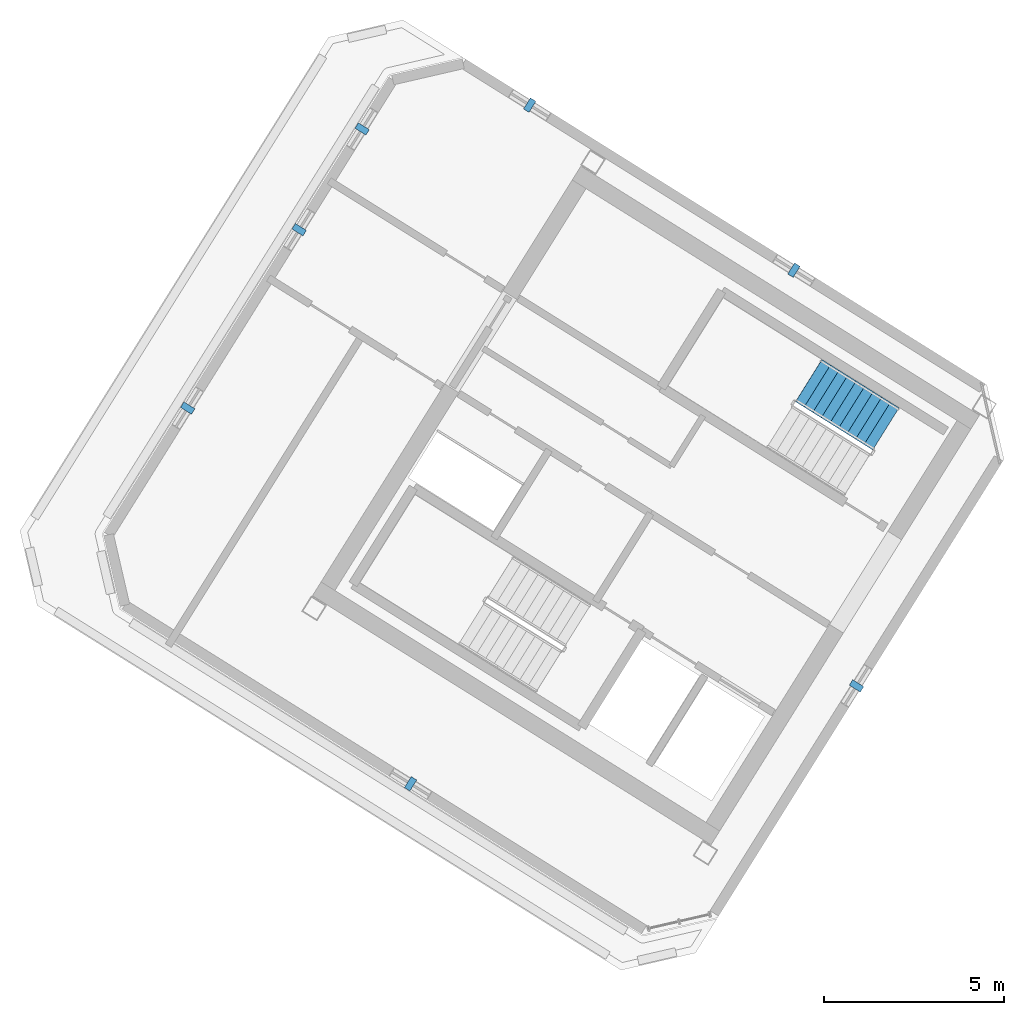
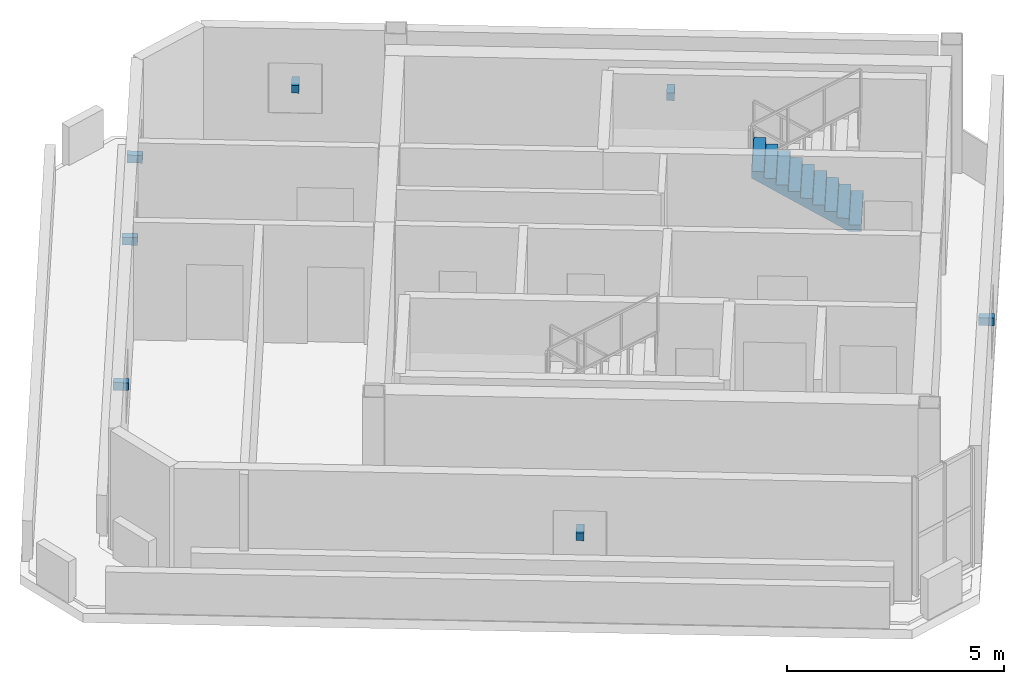
# One storey, part 5 of 7: 7 discrete accessories, 1 stair flight, 1 element without a shape of its own.
"""IFC4 building model written with IfcOpenShell, lengths in metres."""

from ifc_helpers import new_model, si_unit, direction, frame, origin, origin_2d, place, context, subcontext, project, spatial, polyline, rectangle, outline, extrude, source, transform, mapped, material, type_object, element, aggregate, save


model = new_model("IFC4")

# Units and contexts
model_context = context("Model", 3, precision=1e-05, world=origin(), true_north=direction((0.0, 1.0)))
body_context = subcontext(model_context, "Body", "Model", "MODEL_VIEW")
ifc_project = project(units=[si_unit("LENGTHUNIT", "METRE"), si_unit("AREAUNIT", "SQUARE_METRE"), si_unit("VOLUMEUNIT", "CUBIC_METRE"), si_unit("PLANEANGLEUNIT", "RADIAN"), si_unit("MASSUNIT", "GRAM", prefix="KILO")], contexts=[model_context])

# Site, building, storey
site_placement = place(None, origin())
site = spatial("IfcSite", under=ifc_project, at=site_placement, CompositionType="ELEMENT")
building_placement = place(site_placement, origin())
building = spatial("IfcBuilding", under=site, at=building_placement, Name="Tlacorven Tower", CompositionType="ELEMENT")
storey_placement = place(building_placement, frame((0.0, 0.0, 309.60009765625)))
storey = spatial("IfcBuildingStorey", under=building, at=storey_placement, Name="L79", CompositionType="ELEMENT", Elevation=309.60009765625)

# Stair, stair flight
ifc_material_1 = material(Name="Concrete C40/50", Category="concrete")
stair_type = type_object("IfcStairType", Name="ST-CORE-DLG", PredefinedType="HALF_TURN_STAIR", material=ifc_material_1)
stair_placement = place(storey_placement, origin())
stair = element("IfcStair", 1, at=stair_placement, inside=storey, type_object=stair_type, Name="L79 Protected Exit Stair West 2", PredefinedType="HALF_TURN_STAIR")
stair_flight_type = type_object("IfcStairFlightType", Name="SFL-RC-1380", PredefinedType="STRAIGHT", material=ifc_material_1)
shared_shape_1 = source(origin(), body_context, "Body", "SweptSolid", [
    extrude(outline(polyline([(-0.0029296875, -0.0029296875), (-0.0029296875, 0.179931640625), (0.280029296875, 0.179931640625), (0.280029296875, 0.360107421875), (0.56005859375, 0.360107421875), (0.56005859375, 0.5400390625), (0.840087890625, 0.5400390625), (0.840087890625, 0.719970703125), (1.1201171875, 0.719970703125), (1.1201171875, 0.89990234375), (1.39990234375, 0.89990234375), (1.39990234375, 1.080078125), (1.679931640625, 1.080078125), (1.679931640625, 1.260009765625), (1.9599609375, 1.260009765625), (1.9599609375, 1.43994140625), (2.239990234375, 1.43994140625), (2.239990234375, 1.6201171875), (2.52001953125, 1.6201171875), (2.52001953125, 1.800048828125), (2.52294921875, 1.800048828125), (2.52294921875, 1.429931640625), (2.52001953125, 1.429931640625), (0.295654296875, 0.0), (0.295654296875, -0.0029296875), (-0.0029296875, -0.0029296875)])), frame((0.0, 0.68994140625, 0.0), z_axis=(0.0, -1.0, 0.0), x_axis=(1.0, 0.0, 0.0)), (0.0, 0.0, 1.0), 1.3798828125),
])
stair_flight_placement = place(storey_placement, frame((38.051513671875, 23.852294921875, 0.0), z_axis=(0.0, 0.0, 1.0), x_axis=(-0.848048096156, 0.529919264233, 0.0)))
stair_flight = element("IfcStairFlight", 2, at=stair_flight_placement, type_object=stair_flight_type, Name="ST-W2 flight 1", NumberOfRisers=10, NumberOfTreads=9, PredefinedType="STRAIGHT", RiserHeight=0.18, TreadLength=0.28, context=body_context, shape_type="MappedRepresentation", body=[
    mapped(shared_shape_1, transform((0.0, 0.0, 0.0), scale=1.0)),
])
aggregate(stair, [stair_flight])

# Discrete accessories
ifc_material_2 = material(Name="Steel S355J2", Category="steel")
discrete_accessory_type = type_object("IfcDiscreteAccessoryType", Name="ACC-BRK-01", PredefinedType="BRACKET", material=ifc_material_2)
shared_shape_2 = source(origin(), body_context, "Body", "SweptSolid", [
    extrude(rectangle(XDim=0.179931640625, YDim=0.360107421875, at=origin_2d()), origin(), (0.0, 0.0, 1.0), 0.219970703125),
])
for number, where, z_axis, x_axis, name in (
    (3, (37.238037109375, 16.719482421875, 1.5400390625), (0.0, 0.0, 1.0), (-0.529919057549, -0.848048225307, 0.0), "L79 Louvre Fixing Bracket 1.1"),
    (4, (24.86669921875, 14.00244140625, 1.5400390625), (0.0, 0.0, 1.0), (-0.848048040728, 0.529919352937, 0.0), "L79 Louvre Fixing Bracket 2.1"),
    (5, (18.68310546875, 24.42724609375, 1.5400390625), (0.0, 0.0, 1.0), (0.529919357141, 0.848048038101, 0.0), "L79 Louvre Fixing Bracket 4.1"),
    (6, (21.775634765625, 29.37646484375, 1.5400390625), (0.0, 0.0, 1.0), (0.529919357141, 0.848048038101, 0.0), "L79 Louvre Fixing Bracket 4.2"),
    (7, (23.522216796875, 32.171630859375, 1.5400390625), (0.0, 0.0, 1.0), (0.529919357141, 0.848048038101, 0.0), "L79 Louvre Fixing Bracket 4.3"),
    (8, (28.172607421875, 32.83154296875, 1.5400390625), (0.0, 0.0, 1.0), (0.848048040728, -0.529919352937, 0.0), "L79 Louvre Fixing Bracket 6.1"),
    (9, (35.50146484375, 28.252197265625, 1.5400390625), (0.0, 0.0, 1.0), (0.848048040728, -0.529919352937, 0.0), "L79 Louvre Fixing Bracket 6.2"),
):
    element("IfcDiscreteAccessory", number, at=place(storey_placement, frame(where, z_axis=z_axis, x_axis=x_axis)), inside=storey, type_object=discrete_accessory_type, Name=name, PredefinedType="BRACKET", context=body_context, shape_type="MappedRepresentation", body=[
        mapped(shared_shape_2, transform((0.0, 0.0, 0.0), scale=1.0)),
    ])

save(model, "model.ifc")
